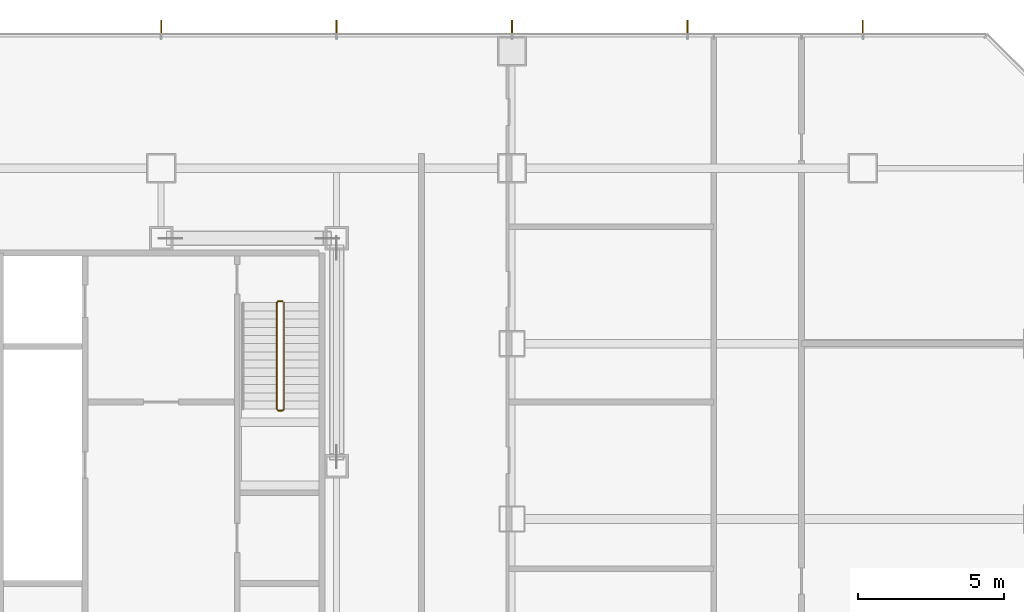
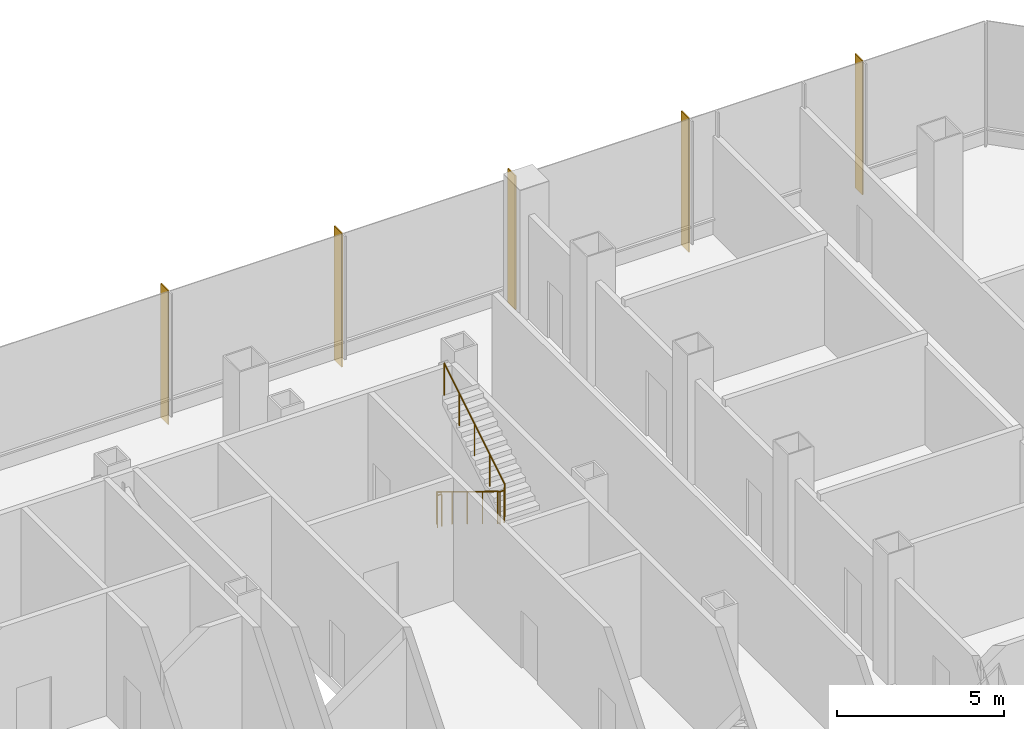
# One storey, part 31 of 34: 5 shading devices, 1 railing.
"""IFC4 building model written with IfcOpenShell, lengths in metres."""

from ifc_helpers import new_model, si_unit, direction, frame, origin, origin_2d, place, context, subcontext, project, spatial, rectangle, circle, extrude, material, material_profile, profile_set, type_object, element, save


model = new_model("IFC4")

# Units and contexts
model_context = context("Model", 3, precision=1e-05, world=origin(), true_north=direction((0.0, 1.0)))
body_context = subcontext(model_context, "Body", "Model", "MODEL_VIEW")
ifc_project = project(units=[si_unit("LENGTHUNIT", "METRE"), si_unit("AREAUNIT", "SQUARE_METRE"), si_unit("VOLUMEUNIT", "CUBIC_METRE"), si_unit("PLANEANGLEUNIT", "RADIAN"), si_unit("MASSUNIT", "GRAM", prefix="KILO")], contexts=[model_context])

# Site, building, storey
site_placement = place(None, origin())
site = spatial("IfcSite", under=ifc_project, at=site_placement, CompositionType="ELEMENT")
building_placement = place(site_placement, origin())
building = spatial("IfcBuilding", under=site, at=building_placement, Name="Sorahane Residences", CompositionType="ELEMENT")
storey_placement = place(building_placement, frame((0.0, 0.0, 39.60009765625)))
storey = spatial("IfcBuildingStorey", under=building, at=storey_placement, Name="L06", CompositionType="ELEMENT", Elevation=39.60009765625)

# Shading devices
ifc_material_1 = material(Name="Terracotta anodised aluminium", Category="masonry")
ifc_material_profile = material_profile(ifc_material_1, rectangle(XDim=0.449951171875, YDim=0.0400390625, at=origin_2d()), Name="Podium vertical fin terracotta anodised aluminium 450x40")
ifc_profile_set = profile_set([ifc_material_profile], Name="Terracotta anodised aluminium")
shading_device_type = type_object("IfcShadingDeviceType", Name="Podium vertical fin terracotta anodised aluminium 450x40", PredefinedType="USERDEFINED", material=ifc_profile_set)
for number, where, z_axis, x_axis, name in (
    (1, (60.0, 52.844970703125, -0.400146484375), (0.0, 0.0, 1.0), (0.0, 1.0, 0.0), "Podium vertical fin L06 N1.1"),
    (2, (54.0, 52.844970703125, -0.400146484375), (0.0, 0.0, 1.0), (0.0, 1.0, 0.0), "Podium vertical fin L06 N1.2"),
    (3, (48.0, 52.844970703125, -0.400146484375), (0.0, 0.0, 1.0), (0.0, 1.0, 0.0), "Podium vertical fin L06 N1.3"),
    (4, (42.0, 52.844970703125, -0.400146484375), (0.0, 0.0, 1.0), (0.0, 1.0, 0.0), "Podium vertical fin L06 N1.4"),
    (5, (36.0, 52.844970703125, -0.400146484375), (0.0, 0.0, 1.0), (0.0, 1.0, 0.0), "Podium vertical fin L06 N1.5"),
):
    element("IfcShadingDevice", number, at=place(storey_placement, frame(where, z_axis=z_axis, x_axis=x_axis)), inside=storey, type_object=shading_device_type, Name=name, ObjectType="Vertical fin", PredefinedType="USERDEFINED", context=body_context, shape_type="SweptSolid", body=[
        extrude(rectangle(XDim=0.449951171875, YDim=0.0400390625, at=origin_2d()), origin(), (0.0, 0.0, 1.0), 4.900146484375),
    ])

# Railing
ifc_material_2 = material(Name="Steel Q355B", Category="steel")
railing_type = type_object("IfcRailingType", Name="Stair guard 1200 Steel Q355B", PredefinedType="GUARDRAIL", material=ifc_material_2)
railing_placement = place(storey_placement, frame((40.14990234375, 43.449951171875, 0.0)))
element("IfcRailing", 6, at=railing_placement, inside=storey, type_object=railing_type, Name="L06 S2 stair guard 1", PredefinedType="GUARDRAIL", context=body_context, shape_type="SweptSolid", body=[
    extrude(circle(Radius=0.02392578125, at=origin_2d()), frame((0.0, 0.0, 1.17578125), z_axis=(-1.0, 0.0, 0.0), x_axis=(0.0, -1.0, 0.0)), (0.0, 0.0, 1.0), 0.14990234375),
    extrude(circle(Radius=0.02392578125, at=origin_2d()), frame((-0.14990234375, 0.0, 1.17578125), z_axis=(-0.269911200495, -0.269911200495, 0.924281281696), x_axis=(0.707106781187, -0.707106781187, 0.0)), (0.0, 0.0, 1.0), 0.185546875),
    extrude(circle(Radius=0.02392578125, at=origin_2d()), frame((-0.199951171875, -0.050048828125, 1.34716796875), z_axis=(0.0, -0.852850264322, 0.5221555579), x_axis=(1.0, 0.0, 0.0)), (0.0, 0.0, 1.0), 4.267822265625),
    extrude(circle(Radius=0.02392578125, at=origin_2d()), frame((-0.199951171875, -3.68994140625, 3.57568359375), z_axis=(0.707106781187, -0.707106781187, 0.0), x_axis=(0.707106781187, 0.707106781187, 0.0)), (0.0, 0.0, 1.0), 0.07080078125),
    extrude(circle(Radius=0.02392578125, at=origin_2d()), frame((-0.14990234375, -3.739990234375, 3.57568359375), z_axis=(1.0, 0.0, 0.0), x_axis=(0.0, 1.0, 0.0)), (0.0, 0.0, 1.0), 0.14990234375),
    extrude(circle(Radius=0.02392578125, at=origin_2d()), frame((0.0, -3.739990234375, 3.57568359375), z_axis=(0.269911200495, 0.269911200495, 0.924281281696), x_axis=(-0.707106781187, 0.707106781187, 0.0)), (0.0, 0.0, 1.0), 0.185546875),
    extrude(circle(Radius=0.02392578125, at=origin_2d()), frame((0.050048828125, -3.68994140625, 3.7470703125), z_axis=(0.0, 0.852850264322, 0.5221555579), x_axis=(-1.0, 0.0, 0.0)), (0.0, 0.0, 1.0), 4.267822265625),
    extrude(circle(Radius=0.02099609375, at=origin_2d()), origin(), (0.0, 0.0, 1.0), 1.15185546875),
    extrude(circle(Radius=0.02099609375, at=origin_2d()), frame((-0.14990234375, 0.0, 0.0)), (0.0, 0.0, 1.0), 1.15185546875),
    extrude(circle(Radius=0.02099609375, at=origin_2d()), frame((-0.199951171875, -0.050048828125, 0.17138671875)), (0.0, 0.0, 1.0), 1.15185546875),
    extrude(circle(Radius=0.02099609375, at=origin_2d()), frame((-0.199951171875, -0.9599609375, 0.728515625)), (0.0, 0.0, 1.0), 1.15185546875),
    extrude(circle(Radius=0.02099609375, at=origin_2d()), frame((-0.199951171875, -1.8701171875, 1.28564453125)), (0.0, 0.0, 1.0), 1.15185546875),
    extrude(circle(Radius=0.02099609375, at=origin_2d()), frame((-0.199951171875, -2.780029296875, 1.8427734375)), (0.0, 0.0, 1.0), 1.15185546875),
    extrude(circle(Radius=0.02099609375, at=origin_2d()), frame((-0.199951171875, -3.68994140625, 2.39990234375)), (0.0, 0.0, 1.0), 1.15185546875),
    extrude(circle(Radius=0.02099609375, at=origin_2d()), frame((-0.14990234375, -3.739990234375, 2.39990234375)), (0.0, 0.0, 1.0), 1.15185546875),
    extrude(circle(Radius=0.02099609375, at=origin_2d()), frame((0.0, -3.739990234375, 2.39990234375)), (0.0, 0.0, 1.0), 1.15185546875),
    extrude(circle(Radius=0.02099609375, at=origin_2d()), frame((0.050048828125, -3.68994140625, 2.5712890625)), (0.0, 0.0, 1.0), 1.15185546875),
    extrude(circle(Radius=0.02099609375, at=origin_2d()), frame((0.050048828125, -2.780029296875, 3.12841796875)), (0.0, 0.0, 1.0), 1.15185546875),
    extrude(circle(Radius=0.02099609375, at=origin_2d()), frame((0.050048828125, -1.8701171875, 3.685546875)), (0.0, 0.0, 1.0), 1.15185546875),
    extrude(circle(Radius=0.02099609375, at=origin_2d()), frame((0.050048828125, -0.9599609375, 4.24267578125)), (0.0, 0.0, 1.0), 1.15185546875),
    extrude(circle(Radius=0.02099609375, at=origin_2d()), frame((0.050048828125, -0.050048828125, 4.7998046875)), (0.0, 0.0, 1.0), 1.15185546875),
])

save(model, "model.ifc")
